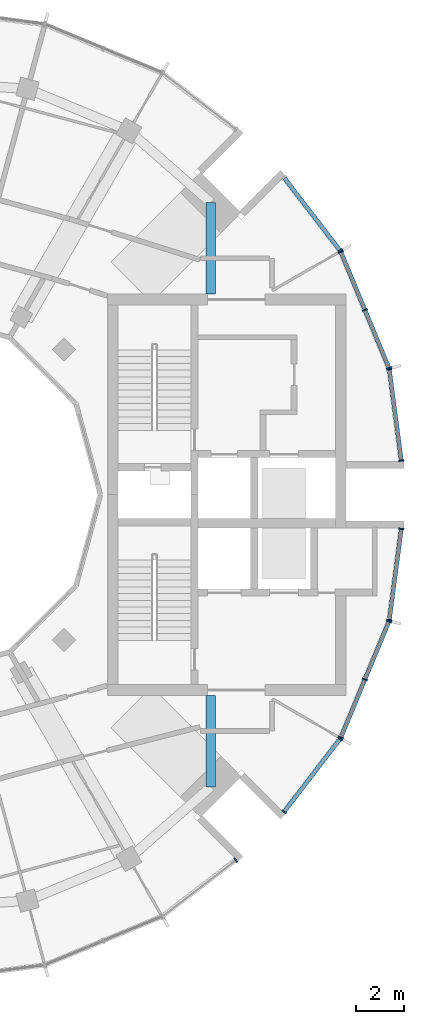
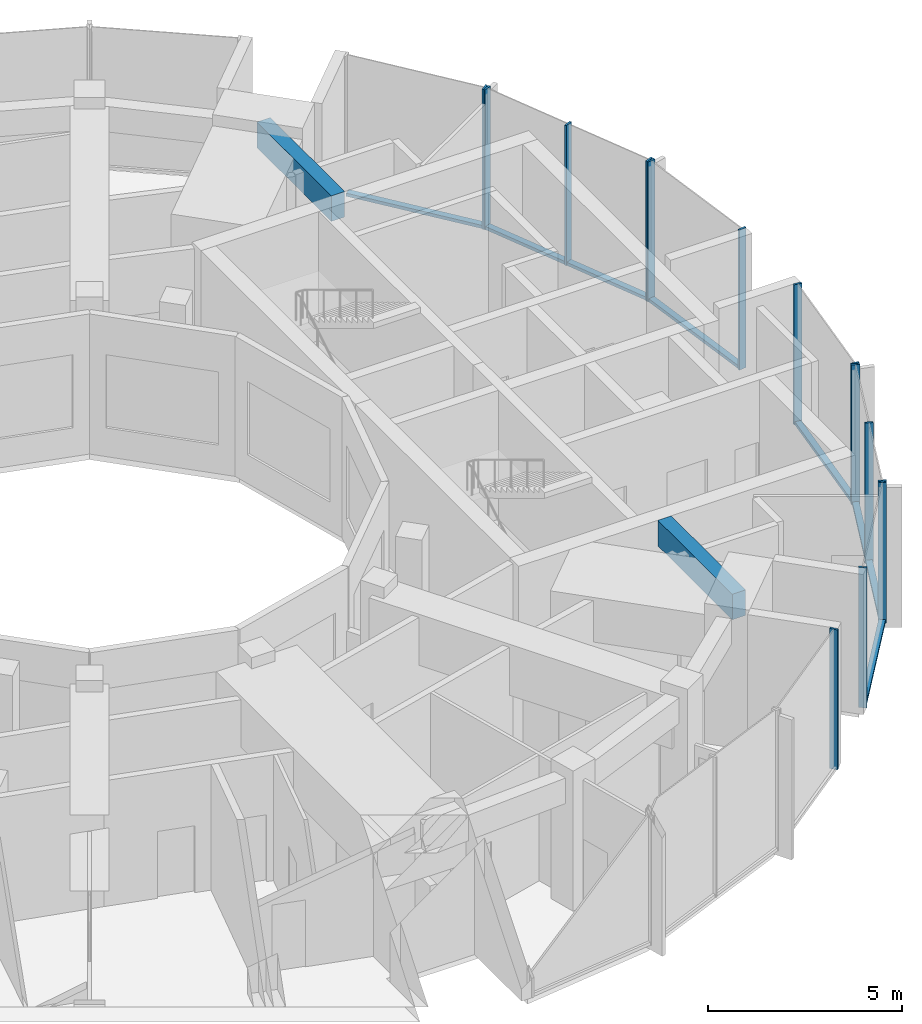
# One storey, part 4 of 13: 22 members, 2 beams, 7 elements without a shape of their own.
"""IFC4 building model written with IfcOpenShell, lengths in metres."""

from ifc_helpers import new_model, si_unit, direction, frame, origin, origin_2d, place, context, subcontext, project, spatial, rectangle, extrude, material, layer, layer_set, material_profile, profile_set, type_object, element, aggregate, save


model = new_model("IFC4")

# Units and contexts
model_context = context("Model", 3, precision=1e-05, world=origin(), true_north=direction((0.0, 1.0)))
body_context = subcontext(model_context, "Body", "Model", "MODEL_VIEW")
ifc_project = project(units=[si_unit("LENGTHUNIT", "METRE"), si_unit("AREAUNIT", "SQUARE_METRE"), si_unit("VOLUMEUNIT", "CUBIC_METRE"), si_unit("PLANEANGLEUNIT", "RADIAN"), si_unit("MASSUNIT", "GRAM", prefix="KILO")], contexts=[model_context])

# Site, building, storey
site_placement = place(None, origin())
site = spatial("IfcSite", under=ifc_project, at=site_placement, CompositionType="ELEMENT")
building_placement = place(site_placement, origin())
building = spatial("IfcBuilding", under=site, at=building_placement, Name="Torre Brocal", CompositionType="ELEMENT")
storey_placement = place(building_placement, frame((0.0, 0.0, 323.699951171875)))
storey = spatial("IfcBuildingStorey", under=building, at=storey_placement, Name="L74", CompositionType="ELEMENT", Elevation=323.699951171875)

# Curtain wall, members
ifc_material_1 = material(Name="Aluminium and glass", Category="aluminium")
ifc_layer = layer(ifc_material_1, 0.199951171875)
ifc_layer_set = layer_set([ifc_layer], Name="Aluminium and glass")
curtain_wall_type = type_object("IfcCurtainWallType", Name="CW-5 CURTAIN WALL 4400 HIGH", PredefinedType="NOTDEFINED", material=ifc_layer_set)
curtain_wall_1_placement = place(storey_placement, origin())
curtain_wall_1 = element("IfcCurtainWall", 1, at=curtain_wall_1_placement, inside=storey, type_object=curtain_wall_type, Name="CW-5 RUN 1", PredefinedType="NOTDEFINED")
ifc_material_2 = material(Name="Aluminium, dark anodised", Category="aluminium")
ifc_material_profile_1 = material_profile(ifc_material_2, rectangle(XDim=0.219970703125, YDim=0.06005859375, at=origin_2d()), Name="CW-5 MULLION 60X220")
ifc_profile_set_1 = profile_set([ifc_material_profile_1], Name="Aluminium, dark anodised")
member_type_1 = type_object("IfcMemberType", Name="CW-5 MULLION 60X220", PredefinedType="MULLION", material=ifc_profile_set_1)
member_1_placement = place(storey_placement, frame((100.2109375, 76.4296875, 0.0), z_axis=(0.0, 0.0, 1.0), x_axis=(-0.991444861394, -0.130526192064, 0.0)))
member_1 = element("IfcMember", 2, at=member_1_placement, type_object=member_type_1, Name="CW5-1 mullion 1", PredefinedType="MULLION", context=body_context, shape_type="SweptSolid", body=[
    extrude(rectangle(XDim=0.219970703125, YDim=0.06005859375, at=origin_2d()), origin(), (0.0, 0.0, 1.0), 4.400146484375),
])
member_2_placement = place(storey_placement, frame((99.7080078125, 80.25, 0.0), z_axis=(0.0, 0.0, 1.0), x_axis=(-0.991444861394, -0.130526192064, 0.0)))
member_2 = element("IfcMember", 3, at=member_2_placement, type_object=member_type_1, Name="CW5-1 mullion 2", PredefinedType="MULLION", context=body_context, shape_type="SweptSolid", body=[
    extrude(rectangle(XDim=0.219970703125, YDim=0.06005859375, at=origin_2d()), origin(), (0.0, 0.0, 1.0), 4.400146484375),
])

curtain_wall_2_placement = place(storey_placement, origin())
curtain_wall_2 = element("IfcCurtainWall", 4, at=curtain_wall_2_placement, inside=storey, type_object=curtain_wall_type, Name="CW-5 RUN 2", PredefinedType="NOTDEFINED")
member_3_placement = place(storey_placement, frame((99.692626953125, 80.307373046875, 0.0), z_axis=(0.0, 0.0, 1.0), x_axis=(-0.923879532478, -0.382683432446, 0.0)))
member_3 = element("IfcMember", 5, at=member_3_placement, type_object=member_type_1, Name="CW5-1 mullion 1", PredefinedType="MULLION", context=body_context, shape_type="SweptSolid", body=[
    extrude(rectangle(XDim=0.219970703125, YDim=0.06005859375, at=origin_2d()), origin(), (0.0, 0.0, 1.0), 4.400146484375),
])
member_4_placement = place(storey_placement, frame((98.68505859375, 82.73974609375, 0.0), z_axis=(0.0, 0.0, 1.0), x_axis=(-0.923879532478, -0.382683432446, 0.0)))
member_4 = element("IfcMember", 6, at=member_4_placement, type_object=member_type_1, Name="CW5-1 mullion 2", PredefinedType="MULLION", context=body_context, shape_type="SweptSolid", body=[
    extrude(rectangle(XDim=0.219970703125, YDim=0.06005859375, at=origin_2d()), origin(), (0.0, 0.0, 1.0), 4.400146484375),
])
member_5_placement = place(storey_placement, frame((97.677734375, 85.171875, 0.0), z_axis=(0.0, 0.0, 1.0), x_axis=(-0.923879532478, -0.382683432446, 0.0)))
member_5 = element("IfcMember", 7, at=member_5_placement, type_object=member_type_1, Name="CW5-1 mullion 3", PredefinedType="MULLION", context=body_context, shape_type="SweptSolid", body=[
    extrude(rectangle(XDim=0.219970703125, YDim=0.06005859375, at=origin_2d()), origin(), (0.0, 0.0, 1.0), 4.400146484375),
])

# Curtain wall, member
curtain_wall_3_placement = place(storey_placement, origin())
curtain_wall_3 = element("IfcCurtainWall", 8, at=curtain_wall_3_placement, inside=storey, type_object=curtain_wall_type, Name="CW-5 RUN 3", PredefinedType="NOTDEFINED")
member_6_placement = place(storey_placement, frame((97.64794921875, 85.223388671875, 0.0), z_axis=(0.0, 0.0, 1.0), x_axis=(-0.793353340376, -0.608761428898, 0.0)))
member_6 = element("IfcMember", 9, at=member_6_placement, type_object=member_type_1, Name="CW5-1 mullion 1", PredefinedType="MULLION", context=body_context, shape_type="SweptSolid", body=[
    extrude(rectangle(XDim=0.219970703125, YDim=0.06005859375, at=origin_2d()), origin(), (0.0, 0.0, 1.0), 4.400146484375),
])

curtain_wall_4_placement = place(storey_placement, origin())
curtain_wall_4 = element("IfcCurtainWall", 10, at=curtain_wall_4_placement, inside=storey, type_object=curtain_wall_type, Name="CW-5 RUN 21", PredefinedType="NOTDEFINED")
member_7_placement = place(storey_placement, frame((93.2802734375, 59.69775390625, 0.0), z_axis=(0.0, 0.0, 1.0), x_axis=(-0.608761428898, 0.793353340376, 0.0)))
member_7 = element("IfcMember", 11, at=member_7_placement, type_object=member_type_1, Name="CW5-1 mullion 2", PredefinedType="MULLION", context=body_context, shape_type="SweptSolid", body=[
    extrude(rectangle(XDim=0.219970703125, YDim=0.06005859375, at=origin_2d()), origin(), (0.0, 0.0, 1.0), 4.400146484375),
])
aggregate(curtain_wall_4, [member_7])

# Curtain wall, members
curtain_wall_5_placement = place(storey_placement, origin())
curtain_wall_5 = element("IfcCurtainWall", 12, at=curtain_wall_5_placement, inside=storey, type_object=curtain_wall_type, Name="CW-5 RUN 22", PredefinedType="NOTDEFINED")
member_8_placement = place(storey_placement, frame((95.30224609375, 61.7197265625, 0.0), z_axis=(0.0, 0.0, 1.0), x_axis=(-0.793353340376, 0.608761428898, 0.0)))
member_8 = element("IfcMember", 13, at=member_8_placement, type_object=member_type_1, Name="CW5-1 mullion 1", PredefinedType="MULLION", context=body_context, shape_type="SweptSolid", body=[
    extrude(rectangle(XDim=0.219970703125, YDim=0.06005859375, at=origin_2d()), origin(), (0.0, 0.0, 1.0), 4.400146484375),
])
member_9_placement = place(storey_placement, frame((97.64794921875, 64.776611328125, 0.0), z_axis=(0.0, 0.0, 1.0), x_axis=(-0.793353340376, 0.608761428898, 0.0)))
member_9 = element("IfcMember", 14, at=member_9_placement, type_object=member_type_1, Name="CW5-1 mullion 2", PredefinedType="MULLION", context=body_context, shape_type="SweptSolid", body=[
    extrude(rectangle(XDim=0.219970703125, YDim=0.06005859375, at=origin_2d()), origin(), (0.0, 0.0, 1.0), 4.400146484375),
])

curtain_wall_6_placement = place(storey_placement, origin())
curtain_wall_6 = element("IfcCurtainWall", 15, at=curtain_wall_6_placement, inside=storey, type_object=curtain_wall_type, Name="CW-5 RUN 23", PredefinedType="NOTDEFINED")
member_10_placement = place(storey_placement, frame((97.677734375, 64.828125, 0.0), z_axis=(0.0, 0.0, 1.0), x_axis=(-0.923879532478, 0.382683432446, 0.0)))
member_10 = element("IfcMember", 16, at=member_10_placement, type_object=member_type_1, Name="CW5-1 mullion 1", PredefinedType="MULLION", context=body_context, shape_type="SweptSolid", body=[
    extrude(rectangle(XDim=0.219970703125, YDim=0.06005859375, at=origin_2d()), origin(), (0.0, 0.0, 1.0), 4.400146484375),
])
member_11_placement = place(storey_placement, frame((98.68505859375, 67.26025390625, 0.0), z_axis=(0.0, 0.0, 1.0), x_axis=(-0.923879532478, 0.382683432446, 0.0)))
member_11 = element("IfcMember", 17, at=member_11_placement, type_object=member_type_1, Name="CW5-1 mullion 2", PredefinedType="MULLION", context=body_context, shape_type="SweptSolid", body=[
    extrude(rectangle(XDim=0.219970703125, YDim=0.06005859375, at=origin_2d()), origin(), (0.0, 0.0, 1.0), 4.400146484375),
])
member_12_placement = place(storey_placement, frame((99.692626953125, 69.692626953125, 0.0), z_axis=(0.0, 0.0, 1.0), x_axis=(-0.923879532478, 0.382683432446, 0.0)))
member_12 = element("IfcMember", 18, at=member_12_placement, type_object=member_type_1, Name="CW5-1 mullion 3", PredefinedType="MULLION", context=body_context, shape_type="SweptSolid", body=[
    extrude(rectangle(XDim=0.219970703125, YDim=0.06005859375, at=origin_2d()), origin(), (0.0, 0.0, 1.0), 4.400146484375),
])

curtain_wall_7_placement = place(storey_placement, origin())
curtain_wall_7 = element("IfcCurtainWall", 19, at=curtain_wall_7_placement, inside=storey, type_object=curtain_wall_type, Name="CW-5 RUN 24", PredefinedType="NOTDEFINED")
member_13_placement = place(storey_placement, frame((99.7080078125, 69.75, 0.0), z_axis=(0.0, 0.0, 1.0), x_axis=(-0.991444861394, 0.130526192064, 0.0)))
member_13 = element("IfcMember", 20, at=member_13_placement, type_object=member_type_1, Name="CW5-1 mullion 1", PredefinedType="MULLION", context=body_context, shape_type="SweptSolid", body=[
    extrude(rectangle(XDim=0.219970703125, YDim=0.06005859375, at=origin_2d()), origin(), (0.0, 0.0, 1.0), 4.400146484375),
])
member_14_placement = place(storey_placement, frame((100.2109375, 73.5703125, 0.0), z_axis=(0.0, 0.0, 1.0), x_axis=(-0.991444861394, 0.130526192064, 0.0)))
member_14 = element("IfcMember", 21, at=member_14_placement, type_object=member_type_1, Name="CW5-1 mullion 2", PredefinedType="MULLION", context=body_context, shape_type="SweptSolid", body=[
    extrude(rectangle(XDim=0.219970703125, YDim=0.06005859375, at=origin_2d()), origin(), (0.0, 0.0, 1.0), 4.400146484375),
])

# Member
ifc_material_3 = material(Name="Aluminium, dark anodised", Category="aluminium")
ifc_material_profile_2 = material_profile(ifc_material_3, rectangle(XDim=0.179931640625, YDim=0.10009765625, at=origin_2d()), Name="CW-5 TRANSOM 180X100")
ifc_profile_set_2 = profile_set([ifc_material_profile_2], Name="Aluminium, dark anodised")
member_type_2 = type_object("IfcMemberType", Name="CW-5 TRANSOM 180X100", PredefinedType="USERDEFINED", material=ifc_profile_set_2)
member_15_placement = place(storey_placement, frame((100.20703125, 76.45947265625, 0.050048828125), z_axis=(-0.130527769268, 0.99144465375, 0.0), x_axis=(-0.99144465375, -0.130527769268, 0.0)))
member_15 = element("IfcMember", 22, at=member_15_placement, type_object=member_type_2, Name="CW5-1 transom 1.1", ObjectType="TRANSOM", PredefinedType="USERDEFINED", context=body_context, shape_type="SweptSolid", body=[
    extrude(rectangle(XDim=0.179931640625, YDim=0.10009765625, at=origin_2d()), origin(), (0.0, 0.0, 1.0), 3.793212890625),
])

aggregate(curtain_wall_1, [member_1, member_2, member_15])

member_16_placement = place(storey_placement, frame((99.68115234375, 80.335205078125, 0.050048828125), z_axis=(-0.382734542152, 0.923858360488, 0.0), x_axis=(-0.923858360488, -0.382734542152, 0.0)))
member_16 = element("IfcMember", 23, at=member_16_placement, type_object=member_type_2, Name="CW5-1 transom 1.1", ObjectType="TRANSOM", PredefinedType="USERDEFINED", context=body_context, shape_type="SweptSolid", body=[
    extrude(rectangle(XDim=0.179931640625, YDim=0.10009765625, at=origin_2d()), origin(), (0.0, 0.0, 1.0), 2.572509765625),
])

member_17_placement = place(storey_placement, frame((98.673583984375, 82.767333984375, 0.050048828125), z_axis=(-0.382653538633, 0.923891914334, 0.0), x_axis=(-0.923891914334, -0.382653538633, 0.0)))
member_17 = element("IfcMember", 24, at=member_17_placement, type_object=member_type_2, Name="CW5-1 transom 2.1", ObjectType="TRANSOM", PredefinedType="USERDEFINED", context=body_context, shape_type="SweptSolid", body=[
    extrude(rectangle(XDim=0.179931640625, YDim=0.10009765625, at=origin_2d()), origin(), (0.0, 0.0, 1.0), 2.572509765625),
])

aggregate(curtain_wall_2, [member_3, member_4, member_5, member_16, member_17])

member_18_placement = place(storey_placement, frame((97.629638671875, 85.2470703125, 0.050048828125), z_axis=(-0.60872740935, 0.793379443335, 0.0), x_axis=(-0.793379443335, -0.60872740935, 0.0)))
member_18 = element("IfcMember", 25, at=member_18_placement, type_object=member_type_2, Name="CW5-1 transom 1.1", ObjectType="TRANSOM", PredefinedType="USERDEFINED", context=body_context, shape_type="SweptSolid", body=[
    extrude(rectangle(XDim=0.179931640625, YDim=0.10009765625, at=origin_2d()), origin(), (0.0, 0.0, 1.0), 3.793212890625),
])

aggregate(curtain_wall_3, [member_6, member_18])

member_19_placement = place(storey_placement, frame((95.320556640625, 61.743408203125, 0.050048828125), z_axis=(0.60872740935, 0.793379443335, 0.0), x_axis=(-0.793379443335, 0.60872740935, 0.0)))
member_19 = element("IfcMember", 26, at=member_19_placement, type_object=member_type_2, Name="CW5-1 transom 1.1", ObjectType="TRANSOM", PredefinedType="USERDEFINED", context=body_context, shape_type="SweptSolid", body=[
    extrude(rectangle(XDim=0.179931640625, YDim=0.10009765625, at=origin_2d()), origin(), (0.0, 0.0, 1.0), 3.793212890625),
])

aggregate(curtain_wall_5, [member_8, member_9, member_19])

member_20_placement = place(storey_placement, frame((97.689208984375, 64.85595703125, 0.050048828125), z_axis=(0.382653538633, 0.923891914334, 0.0), x_axis=(-0.923891914334, 0.382653538633, 0.0)))
member_20 = element("IfcMember", 27, at=member_20_placement, type_object=member_type_2, Name="CW5-1 transom 1.1", ObjectType="TRANSOM", PredefinedType="USERDEFINED", context=body_context, shape_type="SweptSolid", body=[
    extrude(rectangle(XDim=0.179931640625, YDim=0.10009765625, at=origin_2d()), origin(), (0.0, 0.0, 1.0), 2.572509765625),
])

member_21_placement = place(storey_placement, frame((98.696533203125, 67.2880859375, 0.050048828125), z_axis=(0.382734542152, 0.923858360488, 0.0), x_axis=(-0.923858360488, 0.382734542152, 0.0)))
member_21 = element("IfcMember", 28, at=member_21_placement, type_object=member_type_2, Name="CW5-1 transom 2.1", ObjectType="TRANSOM", PredefinedType="USERDEFINED", context=body_context, shape_type="SweptSolid", body=[
    extrude(rectangle(XDim=0.179931640625, YDim=0.10009765625, at=origin_2d()), origin(), (0.0, 0.0, 1.0), 2.572509765625),
])

aggregate(curtain_wall_6, [member_10, member_11, member_12, member_20, member_21])

member_22_placement = place(storey_placement, frame((99.7119140625, 69.77978515625, 0.050048828125), z_axis=(0.130527769268, 0.99144465375, 0.0), x_axis=(-0.99144465375, 0.130527769268, 0.0)))
member_22 = element("IfcMember", 29, at=member_22_placement, type_object=member_type_2, Name="CW5-1 transom 1.1", ObjectType="TRANSOM", PredefinedType="USERDEFINED", context=body_context, shape_type="SweptSolid", body=[
    extrude(rectangle(XDim=0.179931640625, YDim=0.10009765625, at=origin_2d()), origin(), (0.0, 0.0, 1.0), 3.793212890625),
])

aggregate(curtain_wall_7, [member_13, member_14, member_22])

# Beams
ifc_material_4 = material(Name="Concrete C50", Category="concrete")
ifc_material_profile_3 = material_profile(ifc_material_4, rectangle(XDim=0.39990234375, YDim=0.800048828125, at=origin_2d()), Name="RC 400X800")
ifc_profile_set_3 = profile_set([ifc_material_profile_3], Name="Concrete C50")
beam_type = type_object("IfcBeamType", Name="RC SPANDREL BEAM 400X800 C50 TOP 4050", PredefinedType="SPANDREL", material=ifc_profile_set_3)
for number, where, z_axis, x_axis, name in (
    (30, (92.23291015625, 62.76708984375, 3.650146484375), (0.0, 1.0, 0.0), (-1.0, 0.0, 0.0), "Beam BT-51"),
    (31, (92.23291015625, 87.23291015625, 3.650146484375), (0.0, -1.0, 0.0), (1.0, 0.0, 0.0), "Beam BT-51"),
):
    element("IfcBeam", number, at=place(storey_placement, frame(where, z_axis=z_axis, x_axis=x_axis)), inside=storey, type_object=beam_type, Name=name, PredefinedType="SPANDREL", context=body_context, shape_type="SweptSolid", body=[
        extrude(rectangle(XDim=0.39990234375, YDim=0.800048828125, at=origin_2d()), origin(), (0.0, 0.0, 1.0), 3.8330078125),
    ])

save(model, "model.ifc")
